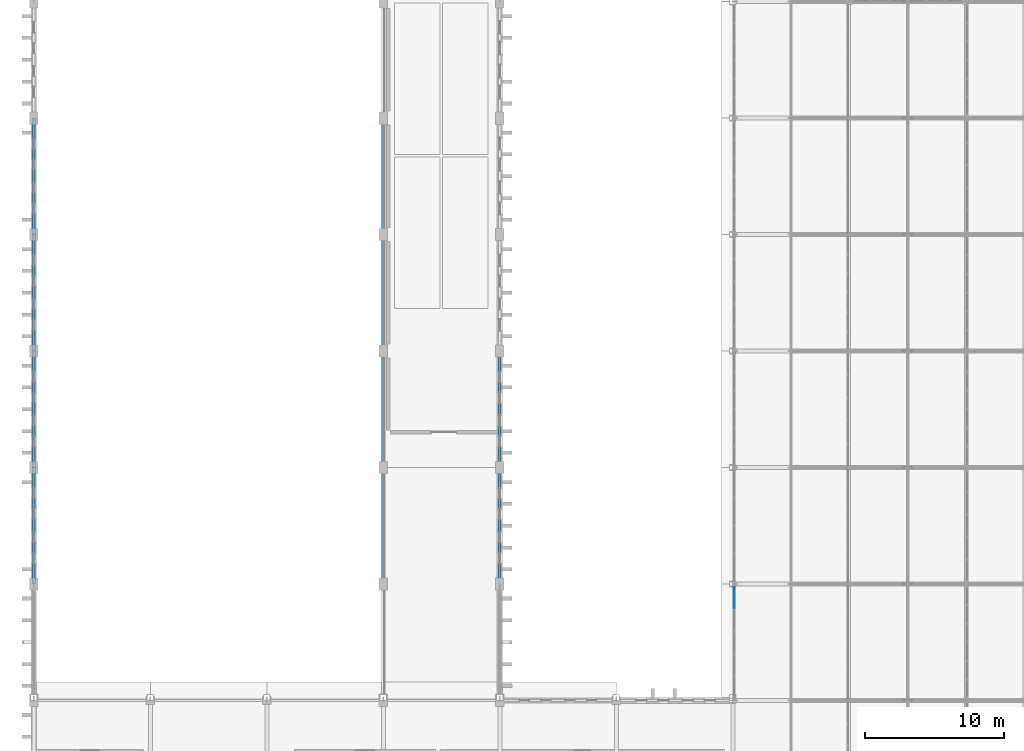
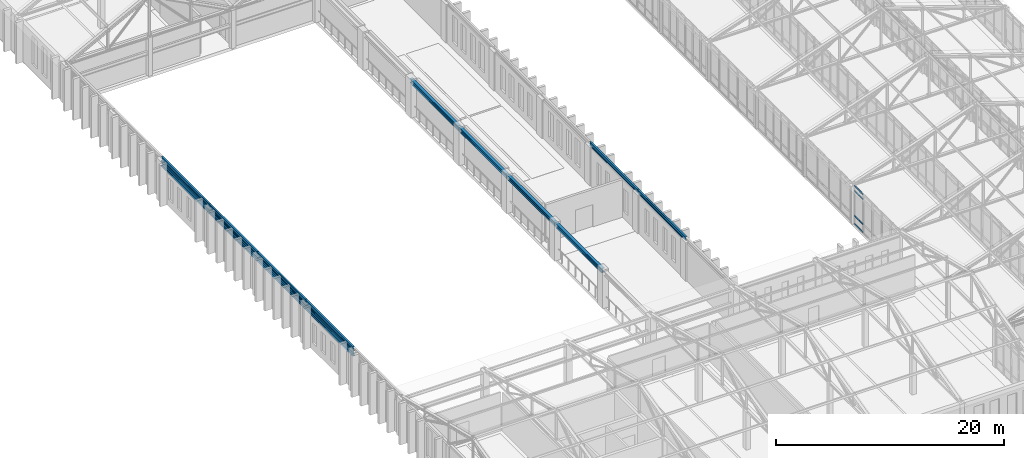
# One storey, part 43 of 192: 14 beams, 4 members, 1 element without a shape of its own.
"""IFC4 building model written with IfcOpenShell, lengths in metres."""

import ifcopenshell
import ifcopenshell.guid

model = None  # the IFC model being written
_history = None  # IfcOwnerHistory: only IFC2X3 demands one
_inside = {}  # id of a spatial element -> (the spatial element, [elements in it])
_under = {}  # id of a project, library or spatial element -> (it, [spatial elements below it])
_declared = {}  # id of a project -> (the project, [libraries it declares])
_typed = {}  # id of a type object -> (the type object, [elements of that type])
_made_of = {}  # id of a material, layer set ... -> (it, [elements and type objects made of it])


def new_model(schema):
    """Start an empty IFC model of exactly this schema.

    Asked for "IFC4X3", IfcOpenShell would pick the latest addendum, in which some entities
    have other attributes; the version numbers below select the first issue.
    IFC2X3 requires an IfcOwnerHistory on every rooted entity: one is made here for all.
    """
    global model, _history
    if schema == "IFC4X3":
        model = ifcopenshell.file(schema_version=(4, 3, 0, 0))
    else:
        model = ifcopenshell.file(schema=schema)
    _inside.clear()
    _under.clear()
    _declared.clear()
    _typed.clear()
    _made_of.clear()
    _history = None
    if model.schema == "IFC2X3":
        org = make("IfcOrganization", Name="unknown")
        user = make(
            "IfcPersonAndOrganization",
            ThePerson=make("IfcPerson", FamilyName="unknown"),
            TheOrganization=org,
        )
        app = make(
            "IfcApplication",
            ApplicationDeveloper=org,
            Version="unknown",
            ApplicationFullName="unknown",
            ApplicationIdentifier="unknown",
        )
        _history = make(
            "IfcOwnerHistory",
            OwningUser=user,
            OwningApplication=app,
            ChangeAction="ADDED",
            CreationDate=0,
        )
    return model


def make(cls, **values):
    """One entity of the class cls with the attributes given. An attribute that is None is left unset."""
    return model.create_entity(
        cls, **{name: value for name, value in values.items() if value is not None}
    )


def rooted(cls, **values):
    """An entity with a GlobalId (a new one), such as an element, a storey or a relation."""
    return make(cls, GlobalId=ifcopenshell.guid.new(), OwnerHistory=_history, **values)


def si_unit(unit_type, name, prefix=None):
    """IfcSIUnit, for example si_unit("LENGTHUNIT", "METRE", prefix="MILLI")."""
    return make("IfcSIUnit", UnitType=unit_type, Prefix=prefix, Name=name)


def assignment(units):
    """IfcUnitAssignment: the units of a project."""
    return None if units is None else make("IfcUnitAssignment", Units=units)


def point(xyz):
    """IfcCartesianPoint."""
    return None if xyz is None else make("IfcCartesianPoint", Coordinates=xyz)


def direction(xyz):
    """IfcDirection."""
    return None if xyz is None else make("IfcDirection", DirectionRatios=xyz)


def frame(location, z_axis=None, x_axis=None):
    """IfcAxis2Placement3D, a coordinate frame: its origin and axes. An axis left out is left unset."""
    return make(
        "IfcAxis2Placement3D",
        Location=point(location),
        Axis=direction(z_axis),
        RefDirection=direction(x_axis),
    )


def frame_2d(location, x_axis=None):
    """IfcAxis2Placement2D, a coordinate frame in the plane: its origin and x axis."""
    return make(
        "IfcAxis2Placement2D", Location=point(location), RefDirection=direction(x_axis)
    )


def origin():
    """The frame at (0, 0, 0) with its axes left unset."""
    return frame((0.0, 0.0, 0.0))


def origin_2d():
    """The frame at (0, 0) in the plane with its x axis left unset."""
    return frame_2d((0.0, 0.0))


def place(relative_to, where):
    """IfcLocalPlacement: puts the frame where relative to a parent placement (None: the world)."""
    return make(
        "IfcLocalPlacement", PlacementRelTo=relative_to, RelativePlacement=where
    )


def context(
    kind, dimensions, precision=None, world=None, true_north=None, identifier=None
):
    """IfcGeometricRepresentationContext, for example the 3D "Model" context."""
    return make(
        "IfcGeometricRepresentationContext",
        ContextIdentifier=identifier,
        ContextType=kind,
        CoordinateSpaceDimension=dimensions,
        Precision=precision,
        WorldCoordinateSystem=world,
        TrueNorth=true_north,
    )


def subcontext(parent, identifier, kind, view, scale=None):
    """IfcGeometricRepresentationSubContext, for example "Body" below "Model"."""
    return make(
        "IfcGeometricRepresentationSubContext",
        ContextIdentifier=identifier,
        ContextType=kind,
        ParentContext=parent,
        TargetScale=scale,
        TargetView=view,
    )


def project(units=None, contexts=None):
    """IfcProject with its units and contexts."""
    return rooted(
        "IfcProject",
        Name="project",
        RepresentationContexts=contexts,
        UnitsInContext=assignment(units),
    )


def spatial(cls, under=None, at=None, **own):
    """A site, building, storey or space (cls), placed at a placement, below another one or the project."""
    s = rooted(cls, ObjectPlacement=at, **own)
    if under is not None:
        _under.setdefault(under.id(), (under, []))[1].append(s)
    return s


def profile(cls, at=None, kind="AREA", **sizes):
    """A parametric profile (cls). Its sizes go by their IFC names, for example OverallWidth=200.0."""
    return make(cls, ProfileType=kind, Position=at, **sizes)


def rectangle(**sizes):
    """IfcRectangleProfileDef."""
    return profile("IfcRectangleProfileDef", **sizes)


def i_section(**sizes):
    """IfcIShapeProfileDef."""
    return profile("IfcIShapeProfileDef", **sizes)


def extrude(swept, where, along, depth):
    """IfcExtrudedAreaSolid: the profile swept, set in the frame where, extruded along a direction by depth."""
    return make(
        "IfcExtrudedAreaSolid",
        SweptArea=swept,
        Position=where,
        ExtrudedDirection=direction(along),
        Depth=depth,
    )


def shape(context_of_items, identifier, shape_type, items):
    """IfcShapeRepresentation: the items that make up one representation, for example the "Body"."""
    return make(
        "IfcShapeRepresentation",
        ContextOfItems=context_of_items,
        RepresentationIdentifier=identifier,
        RepresentationType=shape_type,
        Items=items,
    )


def material(Name=None, Category=None):
    """IfcMaterial."""
    return make("IfcMaterial", Name=Name, Category=Category)


def layer(
    of_material, thickness, ventilated=None, Name=None, Category=None, Priority=None
):
    """IfcMaterialLayer: one layer of a wall or slab, of a material (None: an air gap)."""
    return make(
        "IfcMaterialLayer",
        Material=of_material,
        LayerThickness=thickness,
        IsVentilated=ventilated,
        Name=Name,
        Category=Category,
        Priority=Priority,
    )


def layer_set(layers, Name=None):
    """IfcMaterialLayerSet."""
    return make("IfcMaterialLayerSet", MaterialLayers=layers, LayerSetName=Name)


def material_profile(
    of_material, cross_section, Name=None, Category=None, Priority=None
):
    """IfcMaterialProfile: a cross section and its material."""
    return make(
        "IfcMaterialProfile",
        Name=Name,
        Material=of_material,
        Profile=cross_section,
        Priority=Priority,
        Category=Category,
    )


def profile_set(profiles, Name=None, composite=None):
    """IfcMaterialProfileSet."""
    return make(
        "IfcMaterialProfileSet",
        Name=Name,
        MaterialProfiles=profiles,
        CompositeProfile=composite,
    )


def made_of(thing, what):
    """Note that an element or type object is made of a material, layer set ...; save() writes the relation."""
    if what is not None:
        _made_of.setdefault(what.id(), (what, []))[1].append(thing)
    return thing


def type_object(cls, material=None, **own):
    """A type object (cls), such as IfcWallType, which elements share."""
    return made_of(rooted(cls, **own), material)


def element(
    cls,
    number,
    at=None,
    inside=None,
    cuts=None,
    type_object=None,
    material=None,
    context=None,
    identifier="Body",
    shape_type=None,
    held_by="IfcProductDefinitionShape",
    body=None,
    shapes=None,
    **own,
):
    """One element of the class cls, such as IfcWall. Its Tag is "e" and its number.

    at: its placement. inside: the storey or other place that contains it. cuts: it is an
    opening in that element (IfcRelVoidsElement). A single representation is given by context,
    identifier, shape_type and body (its items); several are given by shapes. held_by: the class
    of the entity that holds the representations. save() writes the other relations.
    """
    e = rooted(cls, Tag="e%d" % number, ObjectPlacement=at, **own)
    if body is not None:
        shapes = [shape(context, identifier, shape_type, body)]
    if shapes is not None:
        e.Representation = make(held_by, Representations=shapes)
    if inside is not None:
        _inside.setdefault(inside.id(), (inside, []))[1].append(e)
    if cuts is not None:
        rooted(
            "IfcRelVoidsElement", RelatingBuildingElement=cuts, RelatedOpeningElement=e
        )
    if type_object is not None:
        _typed.setdefault(type_object.id(), (type_object, []))[1].append(e)
    return made_of(e, material)


def aggregate(whole, parts):
    """IfcRelAggregates: a whole, such as a stair, and the parts it consists of."""
    return rooted("IfcRelAggregates", RelatingObject=whole, RelatedObjects=parts)


def save(model, path):
    """Write the relations noted so far, then the file.

    IfcRelAggregates (storeys below a building ...), IfcRelContainedInSpatialStructure (elements
    in a storey), IfcRelDefinesByType, IfcRelAssociatesMaterial and IfcRelDeclares: one each for
    every whole, place, type object, material and project.
    """
    for whole, parts in _under.values():
        aggregate(whole, parts)
    for where, things in _inside.values():
        rooted(
            "IfcRelContainedInSpatialStructure",
            RelatedElements=things,
            RelatingStructure=where,
        )
    for kind, things in _typed.values():
        rooted("IfcRelDefinesByType", RelatedObjects=things, RelatingType=kind)
    for what, things in _made_of.values():
        rooted("IfcRelAssociatesMaterial", RelatedObjects=things, RelatingMaterial=what)
    for by, libraries in _declared.values():
        rooted("IfcRelDeclares", RelatingContext=by, RelatedDefinitions=libraries)
    model.write(path)


model = new_model("IFC4")

# Units and contexts
model_context = context("Model", 3, precision=1e-05, world=origin(), true_north=direction((0.0, 1.0)))
body_context = subcontext(model_context, "Body", "Model", "MODEL_VIEW")
ifc_project = project(units=[si_unit("LENGTHUNIT", "METRE"), si_unit("AREAUNIT", "SQUARE_METRE"), si_unit("VOLUMEUNIT", "CUBIC_METRE"), si_unit("PLANEANGLEUNIT", "RADIAN"), si_unit("MASSUNIT", "GRAM", prefix="KILO")], contexts=[model_context])

# Site, building, storey
site_placement = place(None, origin())
site = spatial("IfcSite", under=ifc_project, at=site_placement, CompositionType="ELEMENT")
building_placement = place(site_placement, origin())
building = spatial("IfcBuilding", under=site, at=building_placement, Name="Kveldsbrygga Polytechnic", CompositionType="ELEMENT")
storey_placement = place(building_placement, frame((0.0, 0.0, 5.43994140625)))
storey = spatial("IfcBuildingStorey", under=building, at=storey_placement, Name="L01", CompositionType="ELEMENT", Elevation=5.43994140625)

# Beams
ifc_material_1 = material(Name="Steel S355", Category="steel")
ifc_material_profile_1 = material_profile(ifc_material_1, i_section(OverallWidth=0.300048828125, OverallDepth=0.449951171875, WebThickness=0.013916015625, FlangeThickness=0.02587890625, FilletRadius=0.027099609375, at=origin_2d()), Name="HEB 450")
ifc_profile_set_1 = profile_set([ifc_material_profile_1], Name="Steel S355")
beam_type_1 = type_object("IfcBeamType", Name="BM-CRANE-HEB450", PredefinedType="BEAM", material=ifc_profile_set_1)
for number, where, z_axis, x_axis, name in (
    (1, (25.199951171875, 33.60009765625, 3.735107421875), (0.0, 1.0, 0.0), (-1.0, 0.0, 0.0), "Crane Runway Girder CRG-E-04"),
    (2, (25.199951171875, 42.0, 3.735107421875), (0.0, 1.0, 0.0), (-1.0, 0.0, 0.0), "Crane Runway Girder CRG-E-05"),
):
    element("IfcBeam", number, at=place(storey_placement, frame(where, z_axis=z_axis, x_axis=x_axis)), inside=storey, type_object=beam_type_1, Name=name, PredefinedType="BEAM", context=body_context, shape_type="SweptSolid", body=[
        extrude(i_section(OverallWidth=0.300048828125, OverallDepth=0.449951171875, WebThickness=0.013916015625, FlangeThickness=0.02587890625, FilletRadius=0.027099609375, at=origin_2d()), origin(), (0.0, 0.0, 1.0), 8.39990234375),
    ])
beam_1_placement = place(storey_placement, frame((25.199951171875, 50.39990234375, 3.735107421875), z_axis=(0.0, 1.0, 0.0), x_axis=(-1.0, 0.0, 0.0)))
element("IfcBeam", 3, at=beam_1_placement, inside=storey, type_object=beam_type_1, Name="Crane Runway Girder CRG-E-06", PredefinedType="BEAM", context=body_context, shape_type="SweptSolid", body=[
    extrude(i_section(OverallWidth=0.300048828125, OverallDepth=0.449951171875, WebThickness=0.013916015625, FlangeThickness=0.02587890625, FilletRadius=0.027099609375, at=origin_2d()), origin(), (0.0, 0.0, 1.0), 8.400146484375),
])
beam_2_placement = place(storey_placement, frame((25.199951171875, 58.800048828125, 3.735107421875), z_axis=(0.0, 1.0, 0.0), x_axis=(-1.0, 0.0, 0.0)))
element("IfcBeam", 4, at=beam_2_placement, inside=storey, type_object=beam_type_1, Name="Crane Runway Girder CRG-E-07", PredefinedType="BEAM", context=body_context, shape_type="SweptSolid", body=[
    extrude(i_section(OverallWidth=0.300048828125, OverallDepth=0.449951171875, WebThickness=0.013916015625, FlangeThickness=0.02587890625, FilletRadius=0.027099609375, at=origin_2d()), origin(), (0.0, 0.0, 1.0), 8.39990234375),
])
ifc_material_profile_2 = material_profile(ifc_material_1, i_section(OverallWidth=0.300048828125, OverallDepth=0.5, WebThickness=0.014404296875, FlangeThickness=0.028076171875, FilletRadius=0.027099609375, at=origin_2d()), Name="HEB 500")
ifc_profile_set_2 = profile_set([ifc_material_profile_2], Name="Steel S355")
beam_type_2 = type_object("IfcBeamType", Name="BM-CRANE-HEB500", PredefinedType="BEAM", material=ifc_profile_set_2)
for number, where, z_axis, x_axis, name in (
    (5, (0.0, 33.60009765625, 3.7099609375), (0.0, 1.0, 0.0), (-1.0, 0.0, 0.0), "Crane Runway Girder CRG-W-04"),
    (6, (0.0, 42.0, 3.7099609375), (0.0, 1.0, 0.0), (-1.0, 0.0, 0.0), "Crane Runway Girder CRG-W-05"),
):
    element("IfcBeam", number, at=place(storey_placement, frame(where, z_axis=z_axis, x_axis=x_axis)), inside=storey, type_object=beam_type_2, Name=name, PredefinedType="BEAM", context=body_context, shape_type="SweptSolid", body=[
        extrude(i_section(OverallWidth=0.300048828125, OverallDepth=0.5, WebThickness=0.014404296875, FlangeThickness=0.028076171875, FilletRadius=0.027099609375, at=origin_2d()), origin(), (0.0, 0.0, 1.0), 8.39990234375),
    ])
beam_3_placement = place(storey_placement, frame((0.0, 50.39990234375, 3.7099609375), z_axis=(0.0, 1.0, 0.0), x_axis=(-1.0, 0.0, 0.0)))
element("IfcBeam", 7, at=beam_3_placement, inside=storey, type_object=beam_type_2, Name="Crane Runway Girder CRG-W-06", PredefinedType="BEAM", context=body_context, shape_type="SweptSolid", body=[
    extrude(i_section(OverallWidth=0.300048828125, OverallDepth=0.5, WebThickness=0.014404296875, FlangeThickness=0.028076171875, FilletRadius=0.027099609375, at=origin_2d()), origin(), (0.0, 0.0, 1.0), 8.400146484375),
])
beam_4_placement = place(storey_placement, frame((0.0, 58.800048828125, 3.7099609375), z_axis=(0.0, 1.0, 0.0), x_axis=(-1.0, 0.0, 0.0)))
element("IfcBeam", 8, at=beam_4_placement, inside=storey, type_object=beam_type_2, Name="Crane Runway Girder CRG-W-07", PredefinedType="BEAM", context=body_context, shape_type="SweptSolid", body=[
    extrude(i_section(OverallWidth=0.300048828125, OverallDepth=0.5, WebThickness=0.014404296875, FlangeThickness=0.028076171875, FilletRadius=0.027099609375, at=origin_2d()), origin(), (0.0, 0.0, 1.0), 8.39990234375),
])
ifc_material_profile_3 = material_profile(ifc_material_1, i_section(OverallWidth=0.179931640625, OverallDepth=0.39990234375, WebThickness=0.008544921875, FlangeThickness=0.013427734375, FilletRadius=0.02099609375, at=origin_2d()), Name="IPE 400")
ifc_profile_set_3 = profile_set([ifc_material_profile_3], Name="Steel S355")
beam_type_3 = type_object("IfcBeamType", Name="BM-STL-IPE400", PredefinedType="BEAM", material=ifc_profile_set_3)
for number, where, z_axis, x_axis, name in (
    (9, (0.0, 33.60009765625, 4.219970703125), (0.0, 1.0, 0.0), (-1.0, 0.0, 0.0), "Workshop Perimeter Girt Beam BMY-V1GRT-L01-W-04"),
    (10, (33.60009765625, 33.60009765625, 4.219970703125), (0.0, 1.0, 0.0), (-1.0, 0.0, 0.0), "Workshop Perimeter Girt Beam BMY-V1GRT-L01-E-04"),
    (11, (0.0, 42.0, 4.219970703125), (0.0, 1.0, 0.0), (-1.0, 0.0, 0.0), "Workshop Perimeter Girt Beam BMY-V1GRT-L01-W-05"),
    (12, (33.60009765625, 42.0, 4.219970703125), (0.0, 1.0, 0.0), (-1.0, 0.0, 0.0), "Workshop Perimeter Girt Beam BMY-V1GRT-L01-E-05"),
):
    element("IfcBeam", number, at=place(storey_placement, frame(where, z_axis=z_axis, x_axis=x_axis)), inside=storey, type_object=beam_type_3, Name=name, PredefinedType="BEAM", context=body_context, shape_type="SweptSolid", body=[
        extrude(i_section(OverallWidth=0.179931640625, OverallDepth=0.39990234375, WebThickness=0.008544921875, FlangeThickness=0.013427734375, FilletRadius=0.02099609375, at=origin_2d()), origin(), (0.0, 0.0, 1.0), 8.39990234375),
    ])
beam_5_placement = place(storey_placement, frame((0.0, 50.39990234375, 4.219970703125), z_axis=(0.0, 1.0, 0.0), x_axis=(-1.0, 0.0, 0.0)))
element("IfcBeam", 13, at=beam_5_placement, inside=storey, type_object=beam_type_3, Name="Workshop Perimeter Girt Beam BMY-V1GRT-L01-W-06", PredefinedType="BEAM", context=body_context, shape_type="SweptSolid", body=[
    extrude(i_section(OverallWidth=0.179931640625, OverallDepth=0.39990234375, WebThickness=0.008544921875, FlangeThickness=0.013427734375, FilletRadius=0.02099609375, at=origin_2d()), origin(), (0.0, 0.0, 1.0), 8.400146484375),
])
beam_6_placement = place(storey_placement, frame((0.0, 58.800048828125, 4.219970703125), z_axis=(0.0, 1.0, 0.0), x_axis=(-1.0, 0.0, 0.0)))
element("IfcBeam", 14, at=beam_6_placement, inside=storey, type_object=beam_type_3, Name="Workshop Perimeter Girt Beam BMY-V1GRT-L01-W-07", PredefinedType="BEAM", context=body_context, shape_type="SweptSolid", body=[
    extrude(i_section(OverallWidth=0.179931640625, OverallDepth=0.39990234375, WebThickness=0.008544921875, FlangeThickness=0.013427734375, FilletRadius=0.02099609375, at=origin_2d()), origin(), (0.0, 0.0, 1.0), 8.39990234375),
])

# Curtain wall, members
ifc_material_2 = material(Name="Anodised aluminium AW-6060", Category="aluminium")
ifc_layer = layer(ifc_material_2, 0.179931640625)
ifc_layer_set = layer_set([ifc_layer], Name="Anodised aluminium AW-6060")
curtain_wall_type = type_object("IfcCurtainWallType", Name="CW-LANC-D", PredefinedType="USERDEFINED", material=ifc_layer_set)
curtain_wall_placement = place(storey_placement, origin())
curtain_wall = element("IfcCurtainWall", 15, at=curtain_wall_placement, inside=storey, type_object=curtain_wall_type, Name="Curtain Wall CW-L01-Y-06-03", ObjectType="UNITISED CURTAIN WALL", PredefinedType="USERDEFINED")
ifc_material_profile_4 = material_profile(ifc_material_2, rectangle(XDim=0.06005859375, YDim=0.1201171875, at=origin_2d()), Name="ALU 60x120")
ifc_profile_set_4 = profile_set([ifc_material_profile_4], Name="Anodised aluminium AW-6060")
member_type = type_object("IfcMemberType", Name="CW-TRN-120", PredefinedType="USERDEFINED", material=ifc_profile_set_4)
member_1_placement = place(storey_placement, frame((50.5, 31.864501953125, 0.030029296875), z_axis=(0.0, 1.0, 0.0), x_axis=(-1.0, 0.0, 0.0)))
member_1 = element("IfcMember", 16, at=member_1_placement, type_object=member_type, Name="CW-04 transom 5.1", ObjectType="TRANSOM", PredefinedType="USERDEFINED", context=body_context, shape_type="SweptSolid", body=[
    extrude(rectangle(XDim=0.06005859375, YDim=0.1201171875, at=origin_2d()), origin(), (0.0, 0.0, 1.0), 1.505615234375),
])
member_2_placement = place(storey_placement, frame((50.5, 31.864501953125, 0.900146484375), z_axis=(0.0, 1.0, 0.0), x_axis=(-1.0, 0.0, 0.0)))
member_2 = element("IfcMember", 17, at=member_2_placement, type_object=member_type, Name="CW-04 transom 5.2", ObjectType="TRANSOM", PredefinedType="USERDEFINED", context=body_context, shape_type="SweptSolid", body=[
    extrude(rectangle(XDim=0.06005859375, YDim=0.1201171875, at=origin_2d()), origin(), (0.0, 0.0, 1.0), 1.505615234375),
])
member_3_placement = place(storey_placement, frame((50.5, 31.864501953125, 3.570068359375), z_axis=(0.0, 1.0, 0.0), x_axis=(-1.0, 0.0, 0.0)))
member_3 = element("IfcMember", 18, at=member_3_placement, type_object=member_type, Name="CW-04 transom 5.3", ObjectType="TRANSOM", PredefinedType="USERDEFINED", context=body_context, shape_type="SweptSolid", body=[
    extrude(rectangle(XDim=0.06005859375, YDim=0.1201171875, at=origin_2d()), origin(), (0.0, 0.0, 1.0), 1.505615234375),
])
member_4_placement = place(storey_placement, frame((50.5, 31.864501953125, 4.090087890625), z_axis=(0.0, 1.0, 0.0), x_axis=(-1.0, 0.0, 0.0)))
member_4 = element("IfcMember", 19, at=member_4_placement, type_object=member_type, Name="CW-04 transom 5.4", ObjectType="TRANSOM", PredefinedType="USERDEFINED", context=body_context, shape_type="SweptSolid", body=[
    extrude(rectangle(XDim=0.06005859375, YDim=0.1201171875, at=origin_2d()), origin(), (0.0, 0.0, 1.0), 1.505615234375),
])
aggregate(curtain_wall, [member_1, member_2, member_3, member_4])

save(model, "model.ifc")
